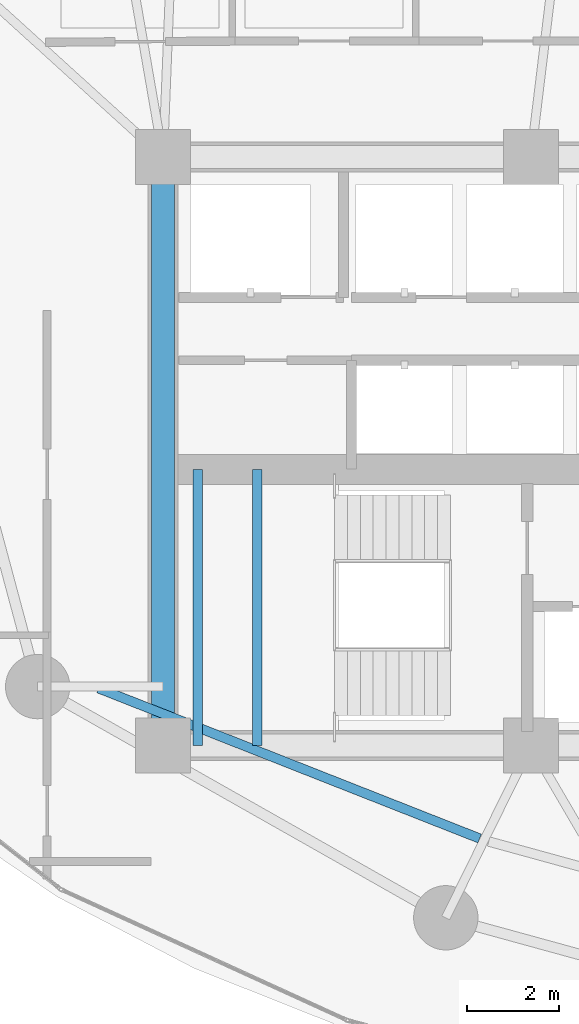
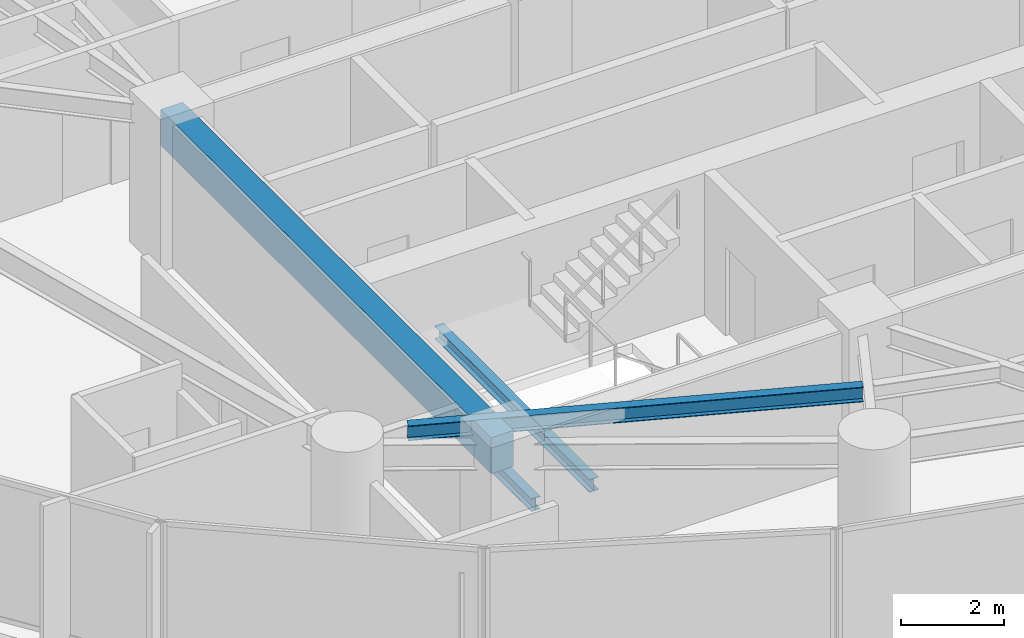
# One storey, part 4 of 33: 4 beams.
"""IFC4 building model written with IfcOpenShell, lengths in metres."""

from ifc_helpers import new_model, si_unit, direction, frame, origin, origin_2d, place, context, subcontext, project, spatial, rectangle, i_section, extrude, material, material_profile, profile_set, type_object, element, save


model = new_model("IFC4")

# Units and contexts
model_context = context("Model", 3, precision=1e-05, world=origin(), true_north=direction((0.0, 1.0)))
body_context = subcontext(model_context, "Body", "Model", "MODEL_VIEW")
ifc_project = project(units=[si_unit("LENGTHUNIT", "METRE"), si_unit("AREAUNIT", "SQUARE_METRE"), si_unit("VOLUMEUNIT", "CUBIC_METRE"), si_unit("PLANEANGLEUNIT", "RADIAN"), si_unit("MASSUNIT", "GRAM", prefix="KILO")], contexts=[model_context])

# Site, building, storey
site_placement = place(None, origin())
site = spatial("IfcSite", under=ifc_project, at=site_placement, CompositionType="ELEMENT")
building_placement = place(site_placement, origin())
building = spatial("IfcBuilding", under=site, at=building_placement, Name="Kazevale Care Tower and Concert Hall", CompositionType="ELEMENT")
storey_placement = place(building_placement, frame((0.0, 0.0, 31.199951171875)))
storey = spatial("IfcBuildingStorey", under=building, at=storey_placement, Name="L07", CompositionType="ELEMENT", Elevation=31.199951171875)

# Beams
ifc_material_1 = material(Name="Concrete C60", Category="concrete")
ifc_material_profile_1 = material_profile(ifc_material_1, rectangle(XDim=0.5, YDim=0.85009765625, at=origin_2d()), Name="RC-B500x850")
ifc_profile_set_1 = profile_set([ifc_material_profile_1], Name="Concrete C60")
beam_type_1 = type_object("IfcBeamType", Name="Core Coupling Beam RC500x850", PredefinedType="LINTEL", material=ifc_profile_set_1)
beam_1_placement = place(storey_placement, frame((22.0, 36.39990234375, 2.93505859375), z_axis=(0.0, -1.0, 0.0), x_axis=(1.0, 0.0, 0.0)))
element("IfcBeam", 1, at=beam_1_placement, inside=storey, type_object=beam_type_1, Name="beam:L07:coretie:8", PredefinedType="LINTEL", context=body_context, shape_type="SweptSolid", body=[
    extrude(rectangle(XDim=0.5, YDim=0.85009765625, at=origin_2d()), origin(), (0.0, 0.0, 1.0), 12.7998046875),
])
ifc_material_2 = material(Name="Steel ASTM A572 Gr 50", Category="steel")
ifc_material_profile_2 = material_profile(ifc_material_2, i_section(OverallWidth=0.205078125, OverallDepth=0.35400390625, WebThickness=0.009521484375, FlangeThickness=0.016845703125, at=origin_2d()), Name="W360x79")
ifc_profile_set_2 = profile_set([ifc_material_profile_2], Name="Steel ASTM A572 Gr 50")
beam_type_2 = type_object("IfcBeamType", Name="Secondary Floor Joist W360x79", PredefinedType="JOIST", material=ifc_profile_set_2)
beam_2_placement = place(storey_placement, frame((20.595947265625, 24.842041015625, 3.18310546875), z_axis=(0.930380638802, -0.366594963062, 0.0), x_axis=(0.366594963062, 0.930380638802, 0.0)))
element("IfcBeam", 2, at=beam_2_placement, inside=storey, type_object=beam_type_2, Name="beam:L07:joist:10", PredefinedType="JOIST", context=body_context, shape_type="SweptSolid", body=[
    extrude(i_section(OverallWidth=0.205078125, OverallDepth=0.35400390625, WebThickness=0.009521484375, FlangeThickness=0.016845703125, at=origin_2d()), origin(), (0.0, 0.0, 1.0), 8.909423828125),
])
ifc_material_profile_3 = material_profile(ifc_material_2, i_section(OverallWidth=0.202880859375, OverallDepth=0.302978515625, WebThickness=0.007568359375, FlangeThickness=0.01318359375, at=origin_2d()), Name="W310x60")
ifc_profile_set_3 = profile_set([ifc_material_profile_3], Name="Steel ASTM A572 Gr 50")
beam_type_3 = type_object("IfcBeamType", Name="Stair & Balcony Trimmer W310x60", PredefinedType="BEAM", material=ifc_profile_set_3)
for number, where, z_axis, x_axis, name in (
    (3, (22.75, 23.60009765625, 1.448486328125), (0.0, 1.0, 0.0), (-1.0, 0.0, 0.0), "beam:L07:sttrim:ST1"),
    (4, (24.050048828125, 23.60009765625, 1.448486328125), (0.0, 1.0, 0.0), (-1.0, 0.0, 0.0), "beam:L07:sttrim:ST1b"),
):
    element("IfcBeam", number, at=place(storey_placement, frame(where, z_axis=z_axis, x_axis=x_axis)), inside=storey, type_object=beam_type_3, Name=name, PredefinedType="BEAM", context=body_context, shape_type="SweptSolid", body=[
        extrude(i_section(OverallWidth=0.202880859375, OverallDepth=0.302978515625, WebThickness=0.007568359375, FlangeThickness=0.01318359375, at=origin_2d()), origin(), (0.0, 0.0, 1.0), 6.0),
    ])

save(model, "model.ifc")
